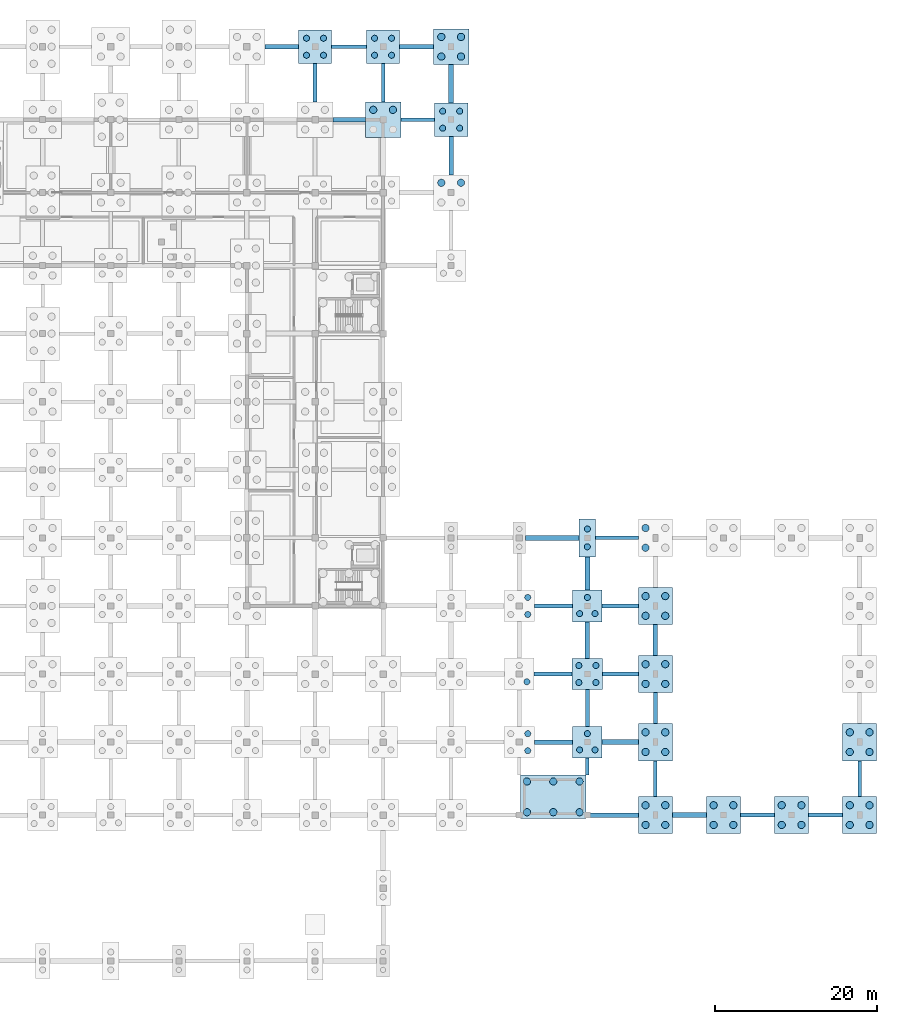
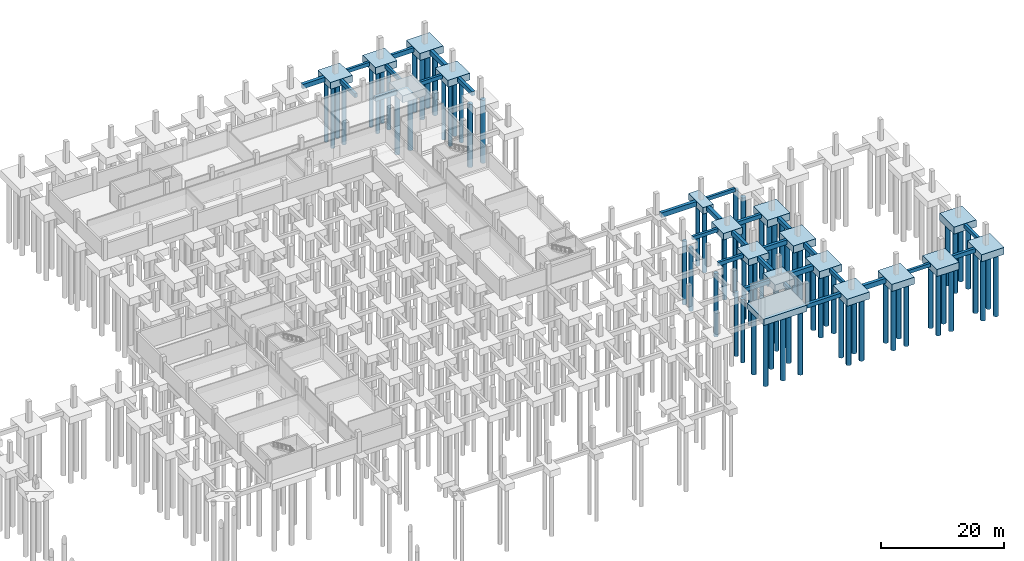
# One storey, part 9 of 20: 77 piles, 47 footings.
"""IFC4 building model written with IfcOpenShell, lengths in metres."""

from ifc_helpers import new_model, si_unit, direction, frame, origin, origin_2d, place, context, subcontext, project, spatial, rectangle, circle, extrude, material, material_profile, profile_set, type_object, element, save


model = new_model("IFC4")

# Units and contexts
model_context = context("Model", 3, precision=1e-05, world=origin(), true_north=direction((0.0, 1.0)))
body_context = subcontext(model_context, "Body", "Model", "MODEL_VIEW")
ifc_project = project(units=[si_unit("LENGTHUNIT", "METRE"), si_unit("AREAUNIT", "SQUARE_METRE"), si_unit("VOLUMEUNIT", "CUBIC_METRE"), si_unit("PLANEANGLEUNIT", "RADIAN"), si_unit("MASSUNIT", "GRAM", prefix="KILO")], contexts=[model_context])

# Site, building, storey
site_placement = place(None, origin())
site = spatial("IfcSite", under=ifc_project, at=site_placement, CompositionType="ELEMENT")
building_placement = place(site_placement, origin())
building = spatial("IfcBuilding", under=site, at=building_placement, Name="Vireocrest Preparatory School", CompositionType="ELEMENT")
storey_placement = place(building_placement, frame((0.0, 0.0, -4.199951171875)))
storey = spatial("IfcBuildingStorey", under=building, at=storey_placement, Name="B01", CompositionType="ELEMENT", Elevation=-4.199951171875)

# Piles
ifc_material = material(Name="Concrete 40 MPa", Category="concrete")
ifc_material_profile_1 = material_profile(ifc_material, circle(Radius=0.375, at=origin_2d()), Name="BORED PILE 750")
ifc_profile_set_1 = profile_set([ifc_material_profile_1], Name="Concrete 40 MPa")
pile_type_1 = type_object("IfcPileType", Name="Bored Concrete Pile 750", PredefinedType="BORED", material=ifc_profile_set_1)
for number, where, z_axis, x_axis, name in (
    (1, (99.75, 111.75, -1.25), (0.0, 0.0, -1.0), (1.0, 0.0, 0.0), "Bored Pile P02 125-1"),
    (2, (101.85009765625, 111.75, -1.25), (0.0, 0.0, -1.0), (1.0, 0.0, 0.0), "Bored Pile P02 125-2"),
    (3, (99.75, 113.85009765625, -1.25), (0.0, 0.0, -1.0), (1.0, 0.0, 0.0), "Bored Pile P02 125-3"),
    (4, (101.85009765625, 113.85009765625, -1.25), (0.0, 0.0, -1.0), (1.0, 0.0, 0.0), "Bored Pile P02 125-4"),
    (5, (108.14990234375, 111.75, -1.25), (0.0, 0.0, -1.0), (1.0, 0.0, 0.0), "Bored Pile P02 139-1"),
    (6, (110.25, 111.75, -1.25), (0.0, 0.0, -1.0), (1.0, 0.0, 0.0), "Bored Pile P02 139-2"),
    (7, (108.14990234375, 113.85009765625, -1.25), (0.0, 0.0, -1.0), (1.0, 0.0, 0.0), "Bored Pile P02 139-3"),
    (8, (110.25, 113.85009765625, -1.25), (0.0, 0.0, -1.0), (1.0, 0.0, 0.0), "Bored Pile P02 139-4"),
    (9, (116.550048828125, 102.75, -1.25), (0.0, 0.0, -1.0), (1.0, 0.0, 0.0), "Bored Pile P02 147-1"),
    (10, (118.64990234375, 102.75, -1.25), (0.0, 0.0, -1.0), (1.0, 0.0, 0.0), "Bored Pile P02 147-2"),
    (11, (116.550048828125, 104.85009765625, -1.25), (0.0, 0.0, -1.0), (1.0, 0.0, 0.0), "Bored Pile P02 147-3"),
    (12, (118.64990234375, 104.85009765625, -1.25), (0.0, 0.0, -1.0), (1.0, 0.0, 0.0), "Bored Pile P02 147-4"),
):
    element("IfcPile", number, at=place(storey_placement, frame(where, z_axis=z_axis, x_axis=x_axis)), inside=storey, type_object=pile_type_1, Name=name, PredefinedType="BORED", context=body_context, shape_type="SweptSolid", body=[
        extrude(circle(Radius=0.375, at=origin_2d()), origin(), (0.0, 0.0, 1.0), 12.550048828125),
    ])
for number, where, z_axis, x_axis, name in (
    (13, (127.050048828125, 25.949951171875, -1.199951171875), (0.0, 0.0, -1.0), (1.0, 0.0, 0.0), "Bored Pile P02 150-2"),
    (14, (127.050048828125, 28.050048828125, -1.199951171875), (0.0, 0.0, -1.0), (1.0, 0.0, 0.0), "Bored Pile P02 150-4"),
    (15, (126.949951171875, 34.449951171875, -1.199951171875), (0.0, 0.0, -1.0), (1.0, 0.0, 0.0), "Bored Pile P02 151-2"),
    (16, (127.050048828125, 42.75, -1.199951171875), (0.0, 0.0, -1.0), (1.0, 0.0, 0.0), "Bored Pile P02 152-2"),
    (17, (127.050048828125, 44.85009765625, -1.199951171875), (0.0, 0.0, -1.0), (1.0, 0.0, 0.0), "Bored Pile P02 152-4"),
    (18, (133.449951171875, 26.050048828125, -1.199951171875), (0.0, 0.0, -1.0), (1.0, 0.0, 0.0), "Bored Pile P02 155-1"),
    (19, (135.35009765625, 26.050048828125, -1.199951171875), (0.0, 0.0, -1.0), (1.0, 0.0, 0.0), "Bored Pile P02 155-2"),
    (20, (134.39990234375, 28.050048828125, -1.199951171875), (0.0, 0.0, -1.0), (1.0, 0.0, 0.0), "Bored Pile P02 155-3"),
    (21, (133.35009765625, 34.35009765625, -1.199951171875), (0.0, 0.0, -1.0), (1.0, 0.0, 0.0), "Bored Pile P02 156-1"),
    (22, (135.449951171875, 34.35009765625, -1.199951171875), (0.0, 0.0, -1.0), (1.0, 0.0, 0.0), "Bored Pile P02 156-2"),
    (23, (133.35009765625, 36.449951171875, -1.199951171875), (0.0, 0.0, -1.0), (1.0, 0.0, 0.0), "Bored Pile P02 156-3"),
    (24, (135.449951171875, 36.449951171875, -1.199951171875), (0.0, 0.0, -1.0), (1.0, 0.0, 0.0), "Bored Pile P02 156-4"),
    (25, (133.449951171875, 42.85009765625, -1.199951171875), (0.0, 0.0, -1.0), (1.0, 0.0, 0.0), "Bored Pile P02 157-1"),
    (26, (135.35009765625, 42.85009765625, -1.199951171875), (0.0, 0.0, -1.0), (1.0, 0.0, 0.0), "Bored Pile P02 157-2"),
    (27, (134.39990234375, 44.85009765625, -1.199951171875), (0.0, 0.0, -1.0), (1.0, 0.0, 0.0), "Bored Pile P02 157-3"),
    (28, (134.39990234375, 51.10009765625, -1.199951171875), (0.0, 0.0, -1.0), (1.0, 0.0, 0.0), "Bored Pile P02 158-1"),
    (29, (134.39990234375, 53.300048828125, -1.199951171875), (0.0, 0.0, -1.0), (1.0, 0.0, 0.0), "Bored Pile P02 158-2"),
):
    element("IfcPile", number, at=place(storey_placement, frame(where, z_axis=z_axis, x_axis=x_axis)), inside=storey, type_object=pile_type_1, Name=name, PredefinedType="BORED", context=body_context, shape_type="SweptSolid", body=[
        extrude(circle(Radius=0.375, at=origin_2d()), origin(), (0.0, 0.0, 1.0), 12.60009765625),
    ])
ifc_material_profile_2 = material_profile(ifc_material, circle(Radius=0.449951171875, at=origin_2d()), Name="BORED PILE 900")
ifc_profile_set_2 = profile_set([ifc_material_profile_2], Name="Concrete 40 MPa")
pile_type_2 = type_object("IfcPileType", Name="Bored Concrete Pile 900", PredefinedType="BORED", material=ifc_profile_set_2)
for number, where, z_axis, x_axis, name in (
    (30, (126.949951171875, 18.35009765625, -1.150146484375), (0.0, 0.0, -1.0), (1.0, 0.0, 0.0), "Bored Pile P03 Core K6-1"),
    (31, (126.949951171875, 22.14990234375, -1.150146484375), (0.0, 0.0, -1.0), (1.0, 0.0, 0.0), "Bored Pile P03 Core K6-2"),
    (32, (130.199951171875, 18.35009765625, -1.150146484375), (0.0, 0.0, -1.0), (1.0, 0.0, 0.0), "Bored Pile P03 Core K6-3"),
    (33, (130.199951171875, 22.14990234375, -1.150146484375), (0.0, 0.0, -1.0), (1.0, 0.0, 0.0), "Bored Pile P03 Core K6-4"),
    (34, (133.449951171875, 18.35009765625, -1.150146484375), (0.0, 0.0, -1.0), (1.0, 0.0, 0.0), "Bored Pile P03 Core K6-5"),
    (35, (133.449951171875, 22.14990234375, -1.150146484375), (0.0, 0.0, -1.0), (1.0, 0.0, 0.0), "Bored Pile P03 Core K6-6"),
):
    element("IfcPile", number, at=place(storey_placement, frame(where, z_axis=z_axis, x_axis=x_axis)), inside=storey, type_object=pile_type_2, Name=name, PredefinedType="BORED", context=body_context, shape_type="SweptSolid", body=[
        extrude(circle(Radius=0.449951171875, at=origin_2d()), origin(), (0.0, 0.0, 1.0), 12.64990234375),
    ])
for number, where, z_axis, x_axis, name in (
    (36, (107.985107421875, 105.014892578125, -1.300048828125), (0.0, 0.0, -1.0), (1.0, 0.0, 0.0), "Bored Pile P03 138-3"),
    (37, (110.4150390625, 105.014892578125, -1.300048828125), (0.0, 0.0, -1.0), (1.0, 0.0, 0.0), "Bored Pile P03 138-4"),
    (38, (116.385009765625, 96.014892578125, -1.300048828125), (0.0, 0.0, -1.0), (1.0, 0.0, 0.0), "Bored Pile P03 146-3"),
    (39, (118.81494140625, 96.014892578125, -1.300048828125), (0.0, 0.0, -1.0), (1.0, 0.0, 0.0), "Bored Pile P03 146-4"),
    (40, (116.385009765625, 111.5849609375, -1.300048828125), (0.0, 0.0, -1.0), (1.0, 0.0, 0.0), "Bored Pile P03 148-1"),
    (41, (118.81494140625, 111.5849609375, -1.300048828125), (0.0, 0.0, -1.0), (1.0, 0.0, 0.0), "Bored Pile P03 148-2"),
    (42, (116.385009765625, 114.014892578125, -1.300048828125), (0.0, 0.0, -1.0), (1.0, 0.0, 0.0), "Bored Pile P03 148-3"),
    (43, (118.81494140625, 114.014892578125, -1.300048828125), (0.0, 0.0, -1.0), (1.0, 0.0, 0.0), "Bored Pile P03 148-4"),
    (44, (141.5849609375, 16.784912109375, -1.300048828125), (0.0, 0.0, -1.0), (1.0, 0.0, 0.0), "Bored Pile P03 159-1"),
    (45, (144.014892578125, 16.784912109375, -1.300048828125), (0.0, 0.0, -1.0), (1.0, 0.0, 0.0), "Bored Pile P03 159-2"),
    (46, (141.5849609375, 19.215087890625, -1.300048828125), (0.0, 0.0, -1.0), (1.0, 0.0, 0.0), "Bored Pile P03 159-3"),
    (47, (144.014892578125, 19.215087890625, -1.300048828125), (0.0, 0.0, -1.0), (1.0, 0.0, 0.0), "Bored Pile P03 159-4"),
    (48, (141.5849609375, 25.784912109375, -1.300048828125), (0.0, 0.0, -1.0), (1.0, 0.0, 0.0), "Bored Pile P03 160-1"),
    (49, (144.014892578125, 25.784912109375, -1.300048828125), (0.0, 0.0, -1.0), (1.0, 0.0, 0.0), "Bored Pile P03 160-2"),
    (50, (141.5849609375, 28.215087890625, -1.300048828125), (0.0, 0.0, -1.0), (1.0, 0.0, 0.0), "Bored Pile P03 160-3"),
    (51, (144.014892578125, 28.215087890625, -1.300048828125), (0.0, 0.0, -1.0), (1.0, 0.0, 0.0), "Bored Pile P03 160-4"),
    (52, (141.5849609375, 34.18505859375, -1.300048828125), (0.0, 0.0, -1.0), (1.0, 0.0, 0.0), "Bored Pile P03 161-1"),
    (53, (144.014892578125, 34.18505859375, -1.300048828125), (0.0, 0.0, -1.0), (1.0, 0.0, 0.0), "Bored Pile P03 161-2"),
    (54, (141.5849609375, 36.614990234375, -1.300048828125), (0.0, 0.0, -1.0), (1.0, 0.0, 0.0), "Bored Pile P03 161-3"),
    (55, (144.014892578125, 36.614990234375, -1.300048828125), (0.0, 0.0, -1.0), (1.0, 0.0, 0.0), "Bored Pile P03 161-4"),
    (56, (141.5849609375, 42.5849609375, -1.300048828125), (0.0, 0.0, -1.0), (1.0, 0.0, 0.0), "Bored Pile P03 162-1"),
    (57, (144.014892578125, 42.5849609375, -1.300048828125), (0.0, 0.0, -1.0), (1.0, 0.0, 0.0), "Bored Pile P03 162-2"),
    (58, (141.5849609375, 45.014892578125, -1.300048828125), (0.0, 0.0, -1.0), (1.0, 0.0, 0.0), "Bored Pile P03 162-3"),
    (59, (144.014892578125, 45.014892578125, -1.300048828125), (0.0, 0.0, -1.0), (1.0, 0.0, 0.0), "Bored Pile P03 162-4"),
    (60, (141.5849609375, 50.985107421875, -1.300048828125), (0.0, 0.0, -1.0), (1.0, 0.0, 0.0), "Bored Pile P03 163-1"),
    (61, (141.5849609375, 53.4150390625, -1.300048828125), (0.0, 0.0, -1.0), (1.0, 0.0, 0.0), "Bored Pile P03 163-3"),
    (62, (149.985107421875, 16.784912109375, -1.300048828125), (0.0, 0.0, -1.0), (1.0, 0.0, 0.0), "Bored Pile P03 164-1"),
    (63, (152.4150390625, 16.784912109375, -1.300048828125), (0.0, 0.0, -1.0), (1.0, 0.0, 0.0), "Bored Pile P03 164-2"),
    (64, (149.985107421875, 19.215087890625, -1.300048828125), (0.0, 0.0, -1.0), (1.0, 0.0, 0.0), "Bored Pile P03 164-3"),
    (65, (152.4150390625, 19.215087890625, -1.300048828125), (0.0, 0.0, -1.0), (1.0, 0.0, 0.0), "Bored Pile P03 164-4"),
    (66, (158.385009765625, 16.784912109375, -1.300048828125), (0.0, 0.0, -1.0), (1.0, 0.0, 0.0), "Bored Pile P03 166-1"),
    (67, (160.81494140625, 16.784912109375, -1.300048828125), (0.0, 0.0, -1.0), (1.0, 0.0, 0.0), "Bored Pile P03 166-2"),
    (68, (158.385009765625, 19.215087890625, -1.300048828125), (0.0, 0.0, -1.0), (1.0, 0.0, 0.0), "Bored Pile P03 166-3"),
    (69, (160.81494140625, 19.215087890625, -1.300048828125), (0.0, 0.0, -1.0), (1.0, 0.0, 0.0), "Bored Pile P03 166-4"),
    (70, (166.784912109375, 16.784912109375, -1.300048828125), (0.0, 0.0, -1.0), (1.0, 0.0, 0.0), "Bored Pile P03 168-1"),
    (71, (169.215087890625, 16.784912109375, -1.300048828125), (0.0, 0.0, -1.0), (1.0, 0.0, 0.0), "Bored Pile P03 168-2"),
    (72, (166.784912109375, 19.215087890625, -1.300048828125), (0.0, 0.0, -1.0), (1.0, 0.0, 0.0), "Bored Pile P03 168-3"),
    (73, (169.215087890625, 19.215087890625, -1.300048828125), (0.0, 0.0, -1.0), (1.0, 0.0, 0.0), "Bored Pile P03 168-4"),
    (74, (166.784912109375, 25.784912109375, -1.300048828125), (0.0, 0.0, -1.0), (1.0, 0.0, 0.0), "Bored Pile P03 169-1"),
    (75, (169.215087890625, 25.784912109375, -1.300048828125), (0.0, 0.0, -1.0), (1.0, 0.0, 0.0), "Bored Pile P03 169-2"),
    (76, (166.784912109375, 28.215087890625, -1.300048828125), (0.0, 0.0, -1.0), (1.0, 0.0, 0.0), "Bored Pile P03 169-3"),
    (77, (169.215087890625, 28.215087890625, -1.300048828125), (0.0, 0.0, -1.0), (1.0, 0.0, 0.0), "Bored Pile P03 169-4"),
):
    element("IfcPile", number, at=place(storey_placement, frame(where, z_axis=z_axis, x_axis=x_axis)), inside=storey, type_object=pile_type_2, Name=name, PredefinedType="BORED", context=body_context, shape_type="SweptSolid", body=[
        extrude(circle(Radius=0.449951171875, at=origin_2d()), origin(), (0.0, 0.0, 1.0), 12.5),
    ])

# Footings
footing_type_1 = type_object("IfcFootingType", Name="Four-Pile Cap 3800x3800x1300", PredefinedType="PILE_CAP", material=ifc_material)
footing_1_placement = place(storey_placement, frame((134.39990234375, 35.39990234375, -1.30029296875), z_axis=(0.0, 0.0, 1.0), x_axis=(1.0, 0.0, 0.0)))
element("IfcFooting", 78, at=footing_1_placement, inside=storey, type_object=footing_type_1, Name="Pile Cap PC05 at (134.4, 35.4)", PredefinedType="PILE_CAP", context=body_context, shape_type="SweptSolid", body=[
    extrude(rectangle(XDim=3.800048828125, YDim=3.800048828125, at=origin_2d()), origin(), (0.0, 0.0, 1.0), 1.300048828125),
])
footing_type_2 = type_object("IfcFootingType", Name="Four-Pile Cap 4100x4100x1350", PredefinedType="PILE_CAP", material=ifc_material)
for number, where, z_axis, x_axis, name in (
    (79, (100.800048828125, 112.800048828125, -1.35009765625), (0.0, 0.0, 1.0), (1.0, 0.0, 0.0), "Pile Cap PC06 at (100.8, 112.8)"),
    (80, (109.199951171875, 112.800048828125, -1.35009765625), (0.0, 0.0, 1.0), (1.0, 0.0, 0.0), "Pile Cap PC06 at (109.2, 112.8)"),
    (81, (117.60009765625, 103.800048828125, -1.35009765625), (0.0, 0.0, 1.0), (1.0, 0.0, 0.0), "Pile Cap PC06 at (117.6, 103.8)"),
):
    element("IfcFooting", number, at=place(storey_placement, frame(where, z_axis=z_axis, x_axis=x_axis)), inside=storey, type_object=footing_type_2, Name=name, PredefinedType="PILE_CAP", context=body_context, shape_type="SweptSolid", body=[
        extrude(rectangle(XDim=4.10009765625, YDim=4.10009765625, at=origin_2d()), origin(), (0.0, 0.0, 1.0), 1.35009765625),
    ])
footing_type_3 = type_object("IfcFootingType", Name="Four-Pile Cap 4400x4400x1400", PredefinedType="PILE_CAP", material=ifc_material)
for number, where, z_axis, x_axis, name in (
    (82, (109.199951171875, 103.800048828125, -1.39990234375), (0.0, 0.0, 1.0), (1.0, 0.0, 0.0), "Pile Cap PC07 at (109.2, 103.8)"),
    (83, (117.60009765625, 112.800048828125, -1.39990234375), (0.0, 0.0, 1.0), (1.0, 0.0, 0.0), "Pile Cap PC07 at (117.6, 112.8)"),
):
    element("IfcFooting", number, at=place(storey_placement, frame(where, z_axis=z_axis, x_axis=x_axis)), inside=storey, type_object=footing_type_3, Name=name, PredefinedType="PILE_CAP", context=body_context, shape_type="SweptSolid", body=[
        extrude(rectangle(XDim=4.39990234375, YDim=4.39990234375, at=origin_2d()), origin(), (0.0, 0.0, 1.0), 1.39990234375),
    ])
footing_type_4 = type_object("IfcFootingType", Name="Four-Pile Vault Pier Cap 4200x4600x1400", PredefinedType="PILE_CAP", material=ifc_material)
for number, where, z_axis, x_axis, name in (
    (84, (142.800048828125, 18.0, -1.39990234375), (0.0, 0.0, 1.0), (1.0, 0.0, 0.0), "Pile Cap PC10 at (142.8, 18.0)"),
    (85, (142.800048828125, 27.0, -1.39990234375), (0.0, 0.0, 1.0), (1.0, 0.0, 0.0), "Pile Cap PC10 at (142.8, 27.0)"),
    (86, (142.800048828125, 35.39990234375, -1.39990234375), (0.0, 0.0, 1.0), (1.0, 0.0, 0.0), "Pile Cap PC10 at (142.8, 35.4)"),
    (87, (142.800048828125, 43.800048828125, -1.39990234375), (0.0, 0.0, 1.0), (1.0, 0.0, 0.0), "Pile Cap PC10 at (142.8, 43.8)"),
    (88, (151.199951171875, 18.0, -1.39990234375), (0.0, 0.0, 1.0), (1.0, 0.0, 0.0), "Pile Cap PC10 at (151.2, 18.0)"),
    (89, (159.60009765625, 18.0, -1.39990234375), (0.0, 0.0, 1.0), (1.0, 0.0, 0.0), "Pile Cap PC10 at (159.6, 18.0)"),
    (90, (168.0, 18.0, -1.39990234375), (0.0, 0.0, 1.0), (1.0, 0.0, 0.0), "Pile Cap PC10 at (168.0, 18.0)"),
    (91, (168.0, 27.0, -1.39990234375), (0.0, 0.0, 1.0), (1.0, 0.0, 0.0), "Pile Cap PC10 at (168.0, 27.0)"),
):
    element("IfcFooting", number, at=place(storey_placement, frame(where, z_axis=z_axis, x_axis=x_axis)), inside=storey, type_object=footing_type_4, Name=name, PredefinedType="PILE_CAP", context=body_context, shape_type="SweptSolid", body=[
        extrude(rectangle(XDim=4.199951171875, YDim=4.60009765625, at=origin_2d()), origin(), (0.0, 0.0, 1.0), 1.39990234375),
    ])
ifc_material_profile_3 = material_profile(ifc_material, rectangle(XDim=0.550048828125, YDim=0.800048828125, at=origin_2d()), Name="GB 550x800")
ifc_profile_set_3 = profile_set([ifc_material_profile_3], Name="Concrete 40 MPa")
footing_type_5 = type_object("IfcFootingType", Name="RC Court Tie Beam 550x800", PredefinedType="FOOTING_BEAM", material=ifc_profile_set_3)
footing_2_placement = place(storey_placement, frame((134.25, 18.0, -0.400146484375), z_axis=(1.0, 0.0, 0.0), x_axis=(0.0, 1.0, 0.0)))
element("IfcFooting", 92, at=footing_2_placement, inside=storey, type_object=footing_type_5, Name="Foundation Grade Beam GB06-022", PredefinedType="FOOTING_BEAM", context=body_context, shape_type="SweptSolid", body=[
    extrude(rectangle(XDim=0.550048828125, YDim=0.800048828125, at=origin_2d()), origin(), (0.0, 0.0, 1.0), 6.449951171875),
])
footing_3_placement = place(storey_placement, frame((127.89990234375, 27.0, -0.400146484375), z_axis=(1.0, 0.0, 0.0), x_axis=(0.0, 1.0, 0.0)))
element("IfcFooting", 93, at=footing_3_placement, inside=storey, type_object=footing_type_5, Name="Foundation Grade Beam GB06-038", PredefinedType="FOOTING_BEAM", context=body_context, shape_type="SweptSolid", body=[
    extrude(rectangle(XDim=0.550048828125, YDim=0.800048828125, at=origin_2d()), origin(), (0.0, 0.0, 1.0), 4.7001953125),
])
footing_4_placement = place(storey_placement, frame((142.800048828125, 37.699951171875, -0.400146484375), z_axis=(0.0, 1.0, 0.0), x_axis=(-1.0, 0.0, 0.0)))
element("IfcFooting", 94, at=footing_4_placement, inside=storey, type_object=footing_type_5, Name="Foundation Grade Beam GB06-270", PredefinedType="FOOTING_BEAM", context=body_context, shape_type="SweptSolid", body=[
    extrude(rectangle(XDim=0.550048828125, YDim=0.800048828125, at=origin_2d()), origin(), (0.0, 0.0, 1.0), 3.800048828125),
])
ifc_material_profile_4 = material_profile(ifc_material, rectangle(XDim=0.5, YDim=0.800048828125, at=origin_2d()), Name="GB 500x800")
ifc_profile_set_4 = profile_set([ifc_material_profile_4], Name="Concrete 40 MPa")
footing_type_6 = type_object("IfcFootingType", Name="RC Foundation Grade Beam 500x800", PredefinedType="FOOTING_BEAM", material=ifc_profile_set_4)
footing_5_placement = place(storey_placement, frame((161.699951171875, 18.0, -0.400146484375), z_axis=(1.0, 0.0, 0.0), x_axis=(0.0, 1.0, 0.0)))
element("IfcFooting", 95, at=footing_5_placement, inside=storey, type_object=footing_type_6, Name="Foundation Grade Beam GB01-025", PredefinedType="FOOTING_BEAM", context=body_context, shape_type="SweptSolid", body=[
    extrude(rectangle(XDim=0.5, YDim=0.800048828125, at=origin_2d()), origin(), (0.0, 0.0, 1.0), 4.199951171875),
])
footing_6_placement = place(storey_placement, frame((136.199951171875, 43.800048828125, -0.400146484375), z_axis=(1.0, 0.0, 0.0), x_axis=(0.0, 1.0, 0.0)))
element("IfcFooting", 96, at=footing_6_placement, inside=storey, type_object=footing_type_6, Name="Foundation Grade Beam GB01-065", PredefinedType="FOOTING_BEAM", context=body_context, shape_type="SweptSolid", body=[
    extrude(rectangle(XDim=0.5, YDim=0.800048828125, at=origin_2d()), origin(), (0.0, 0.0, 1.0), 4.5),
])
footing_7_placement = place(storey_placement, frame((100.800048828125, 106.0, -0.400146484375), z_axis=(0.0, 1.0, 0.0), x_axis=(-1.0, 0.0, 0.0)))
element("IfcFooting", 97, at=footing_7_placement, inside=storey, type_object=footing_type_6, Name="Foundation Grade Beam GB01-241", PredefinedType="FOOTING_BEAM", context=body_context, shape_type="SweptSolid", body=[
    extrude(rectangle(XDim=0.5, YDim=0.800048828125, at=origin_2d()), origin(), (0.0, 0.0, 1.0), 4.75),
])
footing_8_placement = place(storey_placement, frame((134.39990234375, 28.949951171875, -0.400146484375), z_axis=(0.0, 1.0, 0.0), x_axis=(-1.0, 0.0, 0.0)))
element("IfcFooting", 98, at=footing_8_placement, inside=storey, type_object=footing_type_6, Name="Foundation Grade Beam GB01-265", PredefinedType="FOOTING_BEAM", context=body_context, shape_type="SweptSolid", body=[
    extrude(rectangle(XDim=0.5, YDim=0.800048828125, at=origin_2d()), origin(), (0.0, 0.0, 1.0), 4.550048828125),
])
ifc_material_profile_5 = material_profile(ifc_material, rectangle(XDim=0.550048828125, YDim=0.85009765625, at=origin_2d()), Name="GB 550x850")
ifc_profile_set_5 = profile_set([ifc_material_profile_5], Name="Concrete 40 MPa")
footing_type_7 = type_object("IfcFootingType", Name="RC Foundation Grade Beam 550x850", PredefinedType="FOOTING_BEAM", material=ifc_profile_set_5)
footing_9_placement = place(storey_placement, frame((117.60009765625, 97.0, -0.425048828125), z_axis=(0.0, 1.0, 0.0), x_axis=(-1.0, 0.0, 0.0)))
element("IfcFooting", 99, at=footing_9_placement, inside=storey, type_object=footing_type_7, Name="Foundation Grade Beam GB02-258", PredefinedType="FOOTING_BEAM", context=body_context, shape_type="SweptSolid", body=[
    extrude(rectangle(XDim=0.550048828125, YDim=0.85009765625, at=origin_2d()), origin(), (0.0, 0.0, 1.0), 4.75),
])
footing_10_placement = place(storey_placement, frame((134.39990234375, 37.300048828125, -0.425048828125), z_axis=(0.0, 1.0, 0.0), x_axis=(-1.0, 0.0, 0.0)))
element("IfcFooting", 100, at=footing_10_placement, inside=storey, type_object=footing_type_7, Name="Foundation Grade Beam GB02-266", PredefinedType="FOOTING_BEAM", context=body_context, shape_type="SweptSolid", body=[
    extrude(rectangle(XDim=0.550048828125, YDim=0.85009765625, at=origin_2d()), origin(), (0.0, 0.0, 1.0), 4.550048828125),
])
ifc_material_profile_6 = material_profile(ifc_material, rectangle(XDim=0.60009765625, YDim=0.89990234375, at=origin_2d()), Name="GB 600x900")
ifc_profile_set_6 = profile_set([ifc_material_profile_6], Name="Concrete 40 MPa")
footing_type_8 = type_object("IfcFootingType", Name="RC Foundation Grade Beam 600x900", PredefinedType="FOOTING_BEAM", material=ifc_profile_set_6)
footing_11_placement = place(storey_placement, frame((103.0, 103.800048828125, -0.449951171875), z_axis=(1.0, 0.0, 0.0), x_axis=(0.0, 1.0, 0.0)))
element("IfcFooting", 101, at=footing_11_placement, inside=storey, type_object=footing_type_8, Name="Foundation Grade Beam GB03-131", PredefinedType="FOOTING_BEAM", context=body_context, shape_type="SweptSolid", body=[
    extrude(rectangle(XDim=0.60009765625, YDim=0.89990234375, at=origin_2d()), origin(), (0.0, 0.0, 1.0), 4.0),
])
footing_12_placement = place(storey_placement, frame((94.60009765625, 112.800048828125, -0.449951171875), z_axis=(1.0, 0.0, 0.0), x_axis=(0.0, 1.0, 0.0)))
element("IfcFooting", 102, at=footing_12_placement, inside=storey, type_object=footing_type_8, Name="Foundation Grade Beam GB03-139", PredefinedType="FOOTING_BEAM", context=body_context, shape_type="SweptSolid", body=[
    extrude(rectangle(XDim=0.60009765625, YDim=0.89990234375, at=origin_2d()), origin(), (0.0, 0.0, 1.0), 4.14990234375),
])
footing_13_placement = place(storey_placement, frame((117.60009765625, 105.85009765625, -0.449951171875), z_axis=(0.0, 1.0, 0.0), x_axis=(-1.0, 0.0, 0.0)))
element("IfcFooting", 103, at=footing_13_placement, inside=storey, type_object=footing_type_8, Name="Foundation Grade Beam GB03-259", PredefinedType="FOOTING_BEAM", context=body_context, shape_type="SweptSolid", body=[
    extrude(rectangle(XDim=0.60009765625, YDim=0.89990234375, at=origin_2d()), origin(), (0.0, 0.0, 1.0), 4.75),
])
footing_14_placement = place(storey_placement, frame((134.39990234375, 45.75, -0.449951171875), z_axis=(0.0, 1.0, 0.0), x_axis=(-1.0, 0.0, 0.0)))
element("IfcFooting", 104, at=footing_14_placement, inside=storey, type_object=footing_type_8, Name="Foundation Grade Beam GB03-267", PredefinedType="FOOTING_BEAM", context=body_context, shape_type="SweptSolid", body=[
    extrude(rectangle(XDim=0.60009765625, YDim=0.89990234375, at=origin_2d()), origin(), (0.0, 0.0, 1.0), 4.10009765625),
])
ifc_material_profile_7 = material_profile(ifc_material, rectangle(XDim=0.449951171875, YDim=0.75, at=origin_2d()), Name="GB 450x750")
ifc_profile_set_7 = profile_set([ifc_material_profile_7], Name="Concrete 40 MPa")
footing_type_9 = type_object("IfcFootingType", Name="RC Foundation Tie Beam 450x750", PredefinedType="FOOTING_BEAM", material=ifc_profile_set_7)
footing_15_placement = place(storey_placement, frame((127.800048828125, 35.39990234375, -0.375), z_axis=(1.0, 0.0, 0.0), x_axis=(0.0, 1.0, 0.0)))
element("IfcFooting", 105, at=footing_15_placement, inside=storey, type_object=footing_type_9, Name="Foundation Grade Beam GB04-052", PredefinedType="FOOTING_BEAM", context=body_context, shape_type="SweptSolid", body=[
    extrude(rectangle(XDim=0.449951171875, YDim=0.75, at=origin_2d()), origin(), (0.0, 0.0, 1.0), 4.699951171875),
])
footing_16_placement = place(storey_placement, frame((111.39990234375, 103.800048828125, -0.375), z_axis=(1.0, 0.0, 0.0), x_axis=(0.0, 1.0, 0.0)))
element("IfcFooting", 106, at=footing_16_placement, inside=storey, type_object=footing_type_9, Name="Foundation Grade Beam GB04-132", PredefinedType="FOOTING_BEAM", context=body_context, shape_type="SweptSolid", body=[
    extrude(rectangle(XDim=0.449951171875, YDim=0.75, at=origin_2d()), origin(), (0.0, 0.0, 1.0), 4.150146484375),
])
footing_17_placement = place(storey_placement, frame((102.85009765625, 112.800048828125, -0.375), z_axis=(1.0, 0.0, 0.0), x_axis=(0.0, 1.0, 0.0)))
element("IfcFooting", 107, at=footing_17_placement, inside=storey, type_object=footing_type_9, Name="Foundation Grade Beam GB04-140", PredefinedType="FOOTING_BEAM", context=body_context, shape_type="SweptSolid", body=[
    extrude(rectangle(XDim=0.449951171875, YDim=0.75, at=origin_2d()), origin(), (0.0, 0.0, 1.0), 4.2998046875),
])
footing_18_placement = place(storey_placement, frame((109.199951171875, 106.0, -0.375), z_axis=(0.0, 1.0, 0.0), x_axis=(-1.0, 0.0, 0.0)))
element("IfcFooting", 108, at=footing_18_placement, inside=storey, type_object=footing_type_9, Name="Foundation Grade Beam GB04-252", PredefinedType="FOOTING_BEAM", context=body_context, shape_type="SweptSolid", body=[
    extrude(rectangle(XDim=0.449951171875, YDim=0.75, at=origin_2d()), origin(), (0.0, 0.0, 1.0), 4.75),
])
footing_19_placement = place(storey_placement, frame((142.800048828125, 20.300048828125, -0.375), z_axis=(0.0, 1.0, 0.0), x_axis=(-1.0, 0.0, 0.0)))
element("IfcFooting", 109, at=footing_19_placement, inside=storey, type_object=footing_type_9, Name="Foundation Grade Beam GB04-268", PredefinedType="FOOTING_BEAM", context=body_context, shape_type="SweptSolid", body=[
    extrude(rectangle(XDim=0.449951171875, YDim=0.75, at=origin_2d()), origin(), (0.0, 0.0, 1.0), 4.39990234375),
])
ifc_material_profile_8 = material_profile(ifc_material, rectangle(XDim=0.449951171875, YDim=0.699951171875, at=origin_2d()), Name="GB 450x700")
ifc_profile_set_8 = profile_set([ifc_material_profile_8], Name="Concrete 40 MPa")
footing_type_10 = type_object("IfcFootingType", Name="RC Pavilion Tie Beam 450x700", PredefinedType="FOOTING_BEAM", material=ifc_profile_set_8)
footing_20_placement = place(storey_placement, frame((153.300048828125, 18.0, -0.35009765625), z_axis=(1.0, 0.0, 0.0), x_axis=(0.0, 1.0, 0.0)))
element("IfcFooting", 110, at=footing_20_placement, inside=storey, type_object=footing_type_10, Name="Foundation Grade Beam GB08-024", PredefinedType="FOOTING_BEAM", context=body_context, shape_type="SweptSolid", body=[
    extrude(rectangle(XDim=0.449951171875, YDim=0.699951171875, at=origin_2d()), origin(), (0.0, 0.0, 1.0), 4.199951171875),
])
footing_21_placement = place(storey_placement, frame((127.89990234375, 43.800048828125, -0.35009765625), z_axis=(1.0, 0.0, 0.0), x_axis=(0.0, 1.0, 0.0)))
element("IfcFooting", 111, at=footing_21_placement, inside=storey, type_object=footing_type_10, Name="Foundation Grade Beam GB08-064", PredefinedType="FOOTING_BEAM", context=body_context, shape_type="SweptSolid", body=[
    extrude(rectangle(XDim=0.449951171875, YDim=0.699951171875, at=origin_2d()), origin(), (0.0, 0.0, 1.0), 4.7001953125),
])
footing_22_placement = place(storey_placement, frame((135.39990234375, 52.199951171875, -0.35009765625), z_axis=(1.0, 0.0, 0.0), x_axis=(0.0, 1.0, 0.0)))
element("IfcFooting", 112, at=footing_22_placement, inside=storey, type_object=footing_type_10, Name="Foundation Grade Beam GB08-080", PredefinedType="FOOTING_BEAM", context=body_context, shape_type="SweptSolid", body=[
    extrude(rectangle(XDim=0.449951171875, YDim=0.699951171875, at=origin_2d()), origin(), (0.0, 0.0, 1.0), 5.300048828125),
])
footing_23_placement = place(storey_placement, frame((134.39990234375, 22.949951171875, -0.35009765625), z_axis=(0.0, 1.0, 0.0), x_axis=(-1.0, 0.0, 0.0)))
element("IfcFooting", 113, at=footing_23_placement, inside=storey, type_object=footing_type_10, Name="Foundation Grade Beam GB08-264", PredefinedType="FOOTING_BEAM", context=body_context, shape_type="SweptSolid", body=[
    extrude(rectangle(XDim=0.449951171875, YDim=0.699951171875, at=origin_2d()), origin(), (0.0, 0.0, 1.0), 2.10009765625),
])
footing_24_placement = place(storey_placement, frame((168.0, 20.300048828125, -0.35009765625), z_axis=(0.0, 1.0, 0.0), x_axis=(-1.0, 0.0, 0.0)))
element("IfcFooting", 114, at=footing_24_placement, inside=storey, type_object=footing_type_10, Name="Foundation Grade Beam GB08-272", PredefinedType="FOOTING_BEAM", context=body_context, shape_type="SweptSolid", body=[
    extrude(rectangle(XDim=0.449951171875, YDim=0.699951171875, at=origin_2d()), origin(), (0.0, 0.0, 1.0), 4.39990234375),
])
ifc_material_profile_9 = material_profile(ifc_material, rectangle(XDim=0.5, YDim=0.89990234375, at=origin_2d()), Name="GB 500x900")
ifc_profile_set_9 = profile_set([ifc_material_profile_9], Name="Concrete 40 MPa")
footing_type_11 = type_object("IfcFootingType", Name="RC Perimeter Grade Beam 500x900", PredefinedType="FOOTING_BEAM", material=ifc_profile_set_9)
footing_25_placement = place(storey_placement, frame((136.300048828125, 35.39990234375, -0.449951171875), z_axis=(1.0, 0.0, 0.0), x_axis=(0.0, 1.0, 0.0)))
element("IfcFooting", 115, at=footing_25_placement, inside=storey, type_object=footing_type_11, Name="Foundation Grade Beam GB05-053", PredefinedType="FOOTING_BEAM", context=body_context, shape_type="SweptSolid", body=[
    extrude(rectangle(XDim=0.5, YDim=0.89990234375, at=origin_2d()), origin(), (0.0, 0.0, 1.0), 4.39990234375),
])
footing_26_placement = place(storey_placement, frame((111.25, 112.800048828125, -0.449951171875), z_axis=(1.0, 0.0, 0.0), x_axis=(0.0, 1.0, 0.0)))
element("IfcFooting", 116, at=footing_26_placement, inside=storey, type_object=footing_type_11, Name="Foundation Grade Beam GB05-141", PredefinedType="FOOTING_BEAM", context=body_context, shape_type="SweptSolid", body=[
    extrude(rectangle(XDim=0.5, YDim=0.89990234375, at=origin_2d()), origin(), (0.0, 0.0, 1.0), 4.14990234375),
])
footing_27_placement = place(storey_placement, frame((142.800048828125, 29.300048828125, -0.449951171875), z_axis=(0.0, 1.0, 0.0), x_axis=(-1.0, 0.0, 0.0)))
element("IfcFooting", 117, at=footing_27_placement, inside=storey, type_object=footing_type_11, Name="Foundation Grade Beam GB05-269", PredefinedType="FOOTING_BEAM", context=body_context, shape_type="SweptSolid", body=[
    extrude(rectangle(XDim=0.5, YDim=0.89990234375, at=origin_2d()), origin(), (0.0, 0.0, 1.0), 3.800048828125),
])
ifc_material_profile_10 = material_profile(ifc_material, rectangle(XDim=0.60009765625, YDim=0.949951171875, at=origin_2d()), Name="GB 600x950")
ifc_profile_set_10 = profile_set([ifc_material_profile_10], Name="Concrete 40 MPa")
footing_type_12 = type_object("IfcFootingType", Name="RC Vault Tie Grade Beam 600x950", PredefinedType="FOOTING_BEAM", material=ifc_profile_set_10)
footing_28_placement = place(storey_placement, frame((144.89990234375, 18.0, -0.47509765625), z_axis=(1.0, 0.0, 0.0), x_axis=(0.0, 1.0, 0.0)))
element("IfcFooting", 118, at=footing_28_placement, inside=storey, type_object=footing_type_12, Name="Foundation Grade Beam GB07-023", PredefinedType="FOOTING_BEAM", context=body_context, shape_type="SweptSolid", body=[
    extrude(rectangle(XDim=0.60009765625, YDim=0.949951171875, at=origin_2d()), origin(), (0.0, 0.0, 1.0), 4.2001953125),
])
footing_29_placement = place(storey_placement, frame((136.199951171875, 27.0, -0.47509765625), z_axis=(1.0, 0.0, 0.0), x_axis=(0.0, 1.0, 0.0)))
element("IfcFooting", 119, at=footing_29_placement, inside=storey, type_object=footing_type_12, Name="Foundation Grade Beam GB07-039", PredefinedType="FOOTING_BEAM", context=body_context, shape_type="SweptSolid", body=[
    extrude(rectangle(XDim=0.60009765625, YDim=0.949951171875, at=origin_2d()), origin(), (0.0, 0.0, 1.0), 4.5),
])
footing_30_placement = place(storey_placement, frame((126.800048828125, 52.199951171875, -0.47509765625), z_axis=(1.0, 0.0, 0.0), x_axis=(0.0, 1.0, 0.0)))
element("IfcFooting", 120, at=footing_30_placement, inside=storey, type_object=footing_type_12, Name="Foundation Grade Beam GB07-079", PredefinedType="FOOTING_BEAM", context=body_context, shape_type="SweptSolid", body=[
    extrude(rectangle(XDim=0.60009765625, YDim=0.949951171875, at=origin_2d()), origin(), (0.0, 0.0, 1.0), 6.599853515625),
])
footing_type_13 = type_object("IfcFootingType", Name="Retaining Wall Strip Pile Cap 2200x5400x1250", PredefinedType="PILE_CAP", material=ifc_material)
footing_31_placement = place(storey_placement, frame((130.199951171875, 20.25, -1.25), z_axis=(0.0, 0.0, 1.0), x_axis=(1.0, 0.0, 0.0)))
element("IfcFooting", 121, at=footing_31_placement, inside=storey, type_object=footing_type_13, Name="Combined Core Pile Cap K6", PredefinedType="PILE_CAP", context=body_context, shape_type="SweptSolid", body=[
    extrude(rectangle(XDim=8.10009765625, YDim=5.39990234375, at=origin_2d()), origin(), (0.0, 0.0, 1.0), 1.25),
])
footing_type_14 = type_object("IfcFootingType", Name="Three-Pile Cap 3600x3900x1300", PredefinedType="PILE_CAP", material=ifc_material)
for number, where, z_axis, x_axis, name in (
    (122, (134.39990234375, 27.0, -1.30029296875), (0.0, 0.0, 1.0), (1.0, 0.0, 0.0), "Pile Cap PC04 at (134.4, 27.0)"),
    (123, (134.39990234375, 43.800048828125, -1.30029296875), (0.0, 0.0, 1.0), (1.0, 0.0, 0.0), "Pile Cap PC04 at (134.4, 43.8)"),
):
    element("IfcFooting", number, at=place(storey_placement, frame(where, z_axis=z_axis, x_axis=x_axis)), inside=storey, type_object=footing_type_14, Name=name, PredefinedType="PILE_CAP", context=body_context, shape_type="SweptSolid", body=[
        extrude(rectangle(XDim=3.60009765625, YDim=3.89990234375, at=origin_2d()), origin(), (0.0, 0.0, 1.0), 1.300048828125),
    ])
footing_type_15 = type_object("IfcFootingType", Name="Two-Pile Cap 2000x4700x1300", PredefinedType="PILE_CAP", material=ifc_material)
footing_32_placement = place(storey_placement, frame((134.39990234375, 52.199951171875, -1.30029296875), z_axis=(0.0, 0.0, 1.0), x_axis=(1.0, 0.0, 0.0)))
element("IfcFooting", 124, at=footing_32_placement, inside=storey, type_object=footing_type_15, Name="Pile Cap PC03 at (134.4, 52.2)", PredefinedType="PILE_CAP", context=body_context, shape_type="SweptSolid", body=[
    extrude(rectangle(XDim=2.0, YDim=4.699951171875, at=origin_2d()), origin(), (0.0, 0.0, 1.0), 1.300048828125),
])

save(model, "model.ifc")
